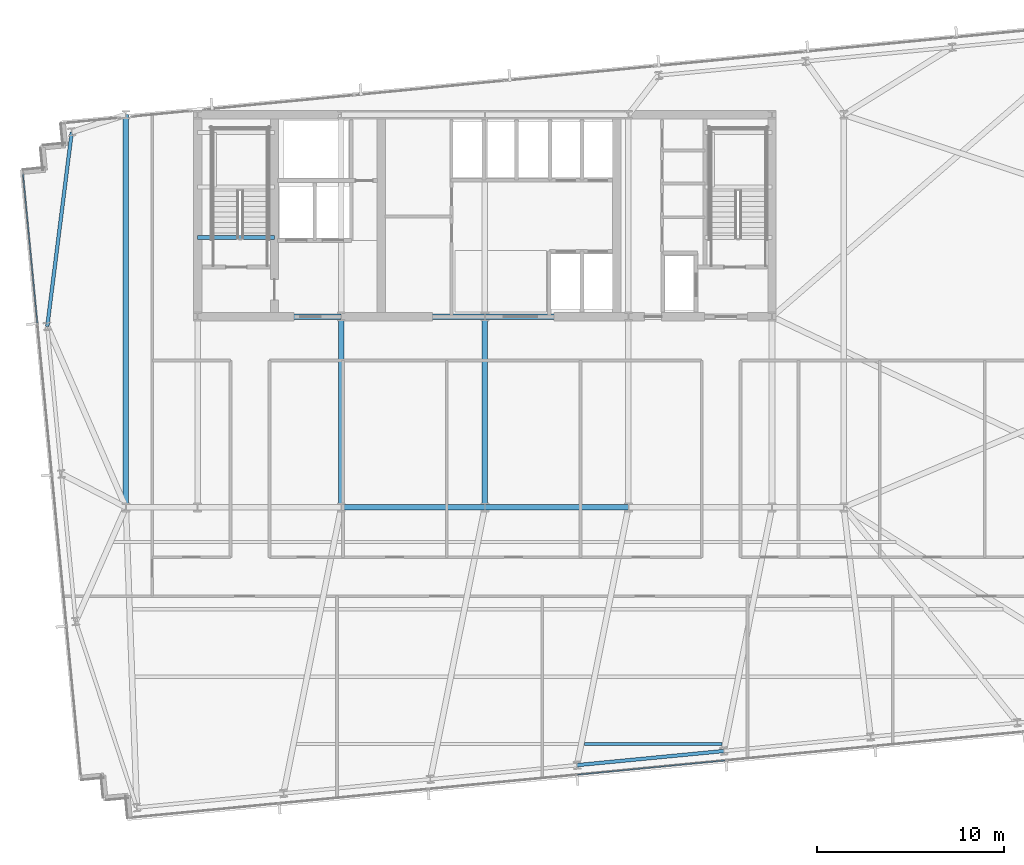
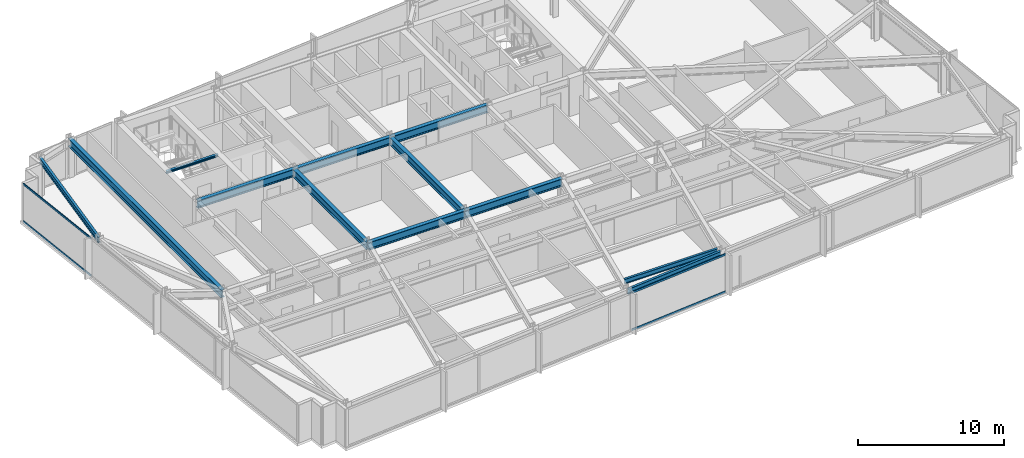
# One storey, part 9 of 33: 12 beams, 4 members, 2 elements without a shape of their own.
"""IFC4 building model written with IfcOpenShell, lengths in metres."""

from ifc_helpers import new_model, si_unit, direction, frame, origin, origin_2d, place, context, subcontext, project, spatial, hollow_rectangle, i_section, extrude, material, material_profile, profile_set, type_object, element, aggregate, save


model = new_model("IFC4")

# Units and contexts
model_context = context("Model", 3, precision=1e-05, world=origin(), true_north=direction((0.0, 1.0)))
body_context = subcontext(model_context, "Body", "Model", "MODEL_VIEW")
ifc_project = project(units=[si_unit("LENGTHUNIT", "METRE"), si_unit("AREAUNIT", "SQUARE_METRE"), si_unit("VOLUMEUNIT", "CUBIC_METRE"), si_unit("PLANEANGLEUNIT", "RADIAN"), si_unit("MASSUNIT", "GRAM", prefix="KILO")], contexts=[model_context])

# Site, building, storey
site_placement = place(None, origin())
site = spatial("IfcSite", under=ifc_project, at=site_placement, CompositionType="ELEMENT")
building_placement = place(site_placement, origin())
building = spatial("IfcBuilding", under=site, at=building_placement, Name="Yelkora Congress Tower", CompositionType="ELEMENT")
storey_placement = place(building_placement, frame((0.0, 0.0, 123.699951171875)))
storey = spatial("IfcBuildingStorey", under=building, at=storey_placement, Name="L33", CompositionType="ELEMENT", Elevation=123.699951171875)

# Beams
ifc_material_1 = material(Name="Steel S355J2", Category="steel")
ifc_material_profile_1 = material_profile(ifc_material_1, i_section(OverallWidth=0.300048828125, OverallDepth=0.64990234375, WebThickness=0.01611328125, FlangeThickness=0.031005859375, FilletRadius=0.027099609375, at=origin_2d()), Name="HEB 650")
ifc_profile_set_1 = profile_set([ifc_material_profile_1], Name="Steel S355J2")
beam_type_1 = type_object("IfcBeamType", Name="BM-GIRD-HEB650", PredefinedType="BEAM", material=ifc_profile_set_1)
beam_1_placement = place(storey_placement, frame((30.719970703125, 25.199951171875, 2.85498046875), z_axis=(1.0, 0.0, 0.0), x_axis=(0.0, 1.0, 0.0)))
element("IfcBeam", 1, at=beam_1_placement, inside=storey, type_object=beam_type_1, Name="L33 Spine Grid D Girder 3", PredefinedType="BEAM", context=body_context, shape_type="SweptSolid", body=[
    extrude(i_section(OverallWidth=0.300048828125, OverallDepth=0.64990234375, WebThickness=0.01611328125, FlangeThickness=0.031005859375, FilletRadius=0.027099609375, at=origin_2d()), origin(), (0.0, 0.0, 1.0), 7.679931640625),
])
beam_2_placement = place(storey_placement, frame((38.39990234375, 25.199951171875, 2.85498046875), z_axis=(1.0, 0.0, 0.0), x_axis=(0.0, 1.0, 0.0)))
element("IfcBeam", 2, at=beam_2_placement, inside=storey, type_object=beam_type_1, Name="L33 Spine Grid D Girder 4", PredefinedType="BEAM", context=body_context, shape_type="SweptSolid", body=[
    extrude(i_section(OverallWidth=0.300048828125, OverallDepth=0.64990234375, WebThickness=0.01611328125, FlangeThickness=0.031005859375, FilletRadius=0.027099609375, at=origin_2d()), origin(), (0.0, 0.0, 1.0), 7.68017578125),
])
for number, where, z_axis, x_axis, name in (
    (3, (23.0400390625, 35.39990234375, 2.85498046875), (1.0, 0.0, 0.0), (0.0, 1.0, 0.0), "L33 Core South Girder 1"),
    (4, (30.719970703125, 35.39990234375, 2.85498046875), (1.0, 0.0, 0.0), (0.0, 1.0, 0.0), "L33 Core South Girder 2"),
):
    element("IfcBeam", number, at=place(storey_placement, frame(where, z_axis=z_axis, x_axis=x_axis)), inside=storey, type_object=beam_type_1, Name=name, PredefinedType="BEAM", context=body_context, shape_type="SweptSolid", body=[
        extrude(i_section(OverallWidth=0.300048828125, OverallDepth=0.64990234375, WebThickness=0.01611328125, FlangeThickness=0.031005859375, FilletRadius=0.027099609375, at=origin_2d()), origin(), (0.0, 0.0, 1.0), 7.679931640625),
    ])
beam_3_placement = place(storey_placement, frame((38.39990234375, 35.39990234375, 2.85498046875), z_axis=(1.0, 0.0, 0.0), x_axis=(0.0, 1.0, 0.0)))
element("IfcBeam", 5, at=beam_3_placement, inside=storey, type_object=beam_type_1, Name="L33 Core South Girder 3", PredefinedType="BEAM", context=body_context, shape_type="SweptSolid", body=[
    extrude(i_section(OverallWidth=0.300048828125, OverallDepth=0.64990234375, WebThickness=0.01611328125, FlangeThickness=0.031005859375, FilletRadius=0.027099609375, at=origin_2d()), origin(), (0.0, 0.0, 1.0), 7.68017578125),
])
for number, where, z_axis, x_axis, name in (
    (6, (30.719970703125, 25.199951171875, 2.85498046875), (0.0, 1.0, 0.0), (-1.0, 0.0, 0.0), "L33 Core Tie Girder MC-D2"),
    (7, (38.39990234375, 25.199951171875, 2.85498046875), (0.0, 1.0, 0.0), (-1.0, 0.0, 0.0), "L33 Core Tie Girder MC-D3"),
):
    element("IfcBeam", number, at=place(storey_placement, frame(where, z_axis=z_axis, x_axis=x_axis)), inside=storey, type_object=beam_type_1, Name=name, PredefinedType="BEAM", context=body_context, shape_type="SweptSolid", body=[
        extrude(i_section(OverallWidth=0.300048828125, OverallDepth=0.64990234375, WebThickness=0.01611328125, FlangeThickness=0.031005859375, FilletRadius=0.027099609375, at=origin_2d()), origin(), (0.0, 0.0, 1.0), 10.199951171875),
    ])
beam_4_placement = place(storey_placement, frame((19.199951171875, 25.199951171875, 2.85498046875), z_axis=(0.0, 1.0, 0.0), x_axis=(-1.0, 0.0, 0.0)))
element("IfcBeam", 8, at=beam_4_placement, inside=storey, type_object=beam_type_1, Name="L33 Neck Flank Girder MC-F1", PredefinedType="BEAM", context=body_context, shape_type="SweptSolid", body=[
    extrude(i_section(OverallWidth=0.300048828125, OverallDepth=0.64990234375, WebThickness=0.01611328125, FlangeThickness=0.031005859375, FilletRadius=0.027099609375, at=origin_2d()), origin(), (0.0, 0.0, 1.0), 21.0),
])
ifc_material_profile_2 = material_profile(ifc_material_1, i_section(OverallWidth=0.179931640625, OverallDepth=0.39990234375, WebThickness=0.008544921875, FlangeThickness=0.013427734375, FilletRadius=0.02099609375, at=origin_2d()), Name="IPE 400")
ifc_profile_set_2 = profile_set([ifc_material_profile_2], Name="Steel S355J2")
beam_type_2 = type_object("IfcBeamType", Name="BM-JOIST-IPE400", PredefinedType="JOIST", material=ifc_profile_set_2)
beam_5_placement = place(storey_placement, frame((43.7197265625, 12.54443359375, 2.97998046875), z_axis=(1.0, 0.0, 0.0), x_axis=(0.0, 1.0, 0.0)))
element("IfcBeam", 9, at=beam_5_placement, inside=storey, type_object=beam_type_2, Name="L33 Composite Floor Joist 3", PredefinedType="JOIST", context=body_context, shape_type="SweptSolid", body=[
    extrude(i_section(OverallWidth=0.179931640625, OverallDepth=0.39990234375, WebThickness=0.008544921875, FlangeThickness=0.013427734375, FilletRadius=0.02099609375, at=origin_2d()), origin(), (0.0, 0.0, 1.0), 7.37841796875),
])
ifc_material_profile_3 = material_profile(ifc_material_1, i_section(OverallWidth=0.199951171875, OverallDepth=0.18994140625, WebThickness=0.006591796875, FlangeThickness=0.010009765625, FilletRadius=0.01806640625, at=origin_2d()), Name="HEA 200")
ifc_profile_set_3 = profile_set([ifc_material_profile_3], Name="Steel S355J2")
beam_type_3 = type_object("IfcBeamType", Name="BM-LAND-HEA200", PredefinedType="BEAM", material=ifc_profile_set_3)
beam_6_placement = place(storey_placement, frame((23.0400390625, 39.639892578125, 2.947509765625), z_axis=(1.0, 0.0, 0.0), x_axis=(0.0, 1.0, 0.0)))
element("IfcBeam", 10, at=beam_6_placement, inside=storey, type_object=beam_type_3, Name="ST-01 L33 Floor Arrival Stringer Header Beam", PredefinedType="BEAM", context=body_context, shape_type="SweptSolid", body=[
    extrude(i_section(OverallWidth=0.199951171875, OverallDepth=0.18994140625, WebThickness=0.006591796875, FlangeThickness=0.010009765625, FilletRadius=0.01806640625, at=origin_2d()), origin(), (0.0, 0.0, 1.0), 4.10986328125),
])
ifc_material_profile_4 = material_profile(ifc_material_1, i_section(OverallWidth=0.18994140625, OverallDepth=0.449951171875, WebThickness=0.009521484375, FlangeThickness=0.0146484375, FilletRadius=0.02099609375, at=origin_2d()), Name="IPE 450")
ifc_profile_set_4 = profile_set([ifc_material_profile_4], Name="Steel S355J2")
beam_type_4 = type_object("IfcBeamType", Name="BM-SPAN-IPE450", PredefinedType="SPANDREL", material=ifc_profile_set_4)
beam_7_placement = place(storey_placement, frame((43.334228515625, 11.411865234375, 2.955078125), z_axis=(0.995398529126, 0.09582154358, 0.0), x_axis=(-0.09582154358, 0.995398529126, 0.0)))
element("IfcBeam", 11, at=beam_7_placement, inside=storey, type_object=beam_type_4, Name="L33 Perimeter Beam 6", PredefinedType="SPANDREL", context=body_context, shape_type="SweptSolid", body=[
    extrude(i_section(OverallWidth=0.18994140625, OverallDepth=0.449951171875, WebThickness=0.009521484375, FlangeThickness=0.0146484375, FilletRadius=0.02099609375, at=origin_2d()), origin(), (0.0, 0.0, 1.0), 7.8857421875),
])
beam_8_placement = place(storey_placement, frame((16.306884765625, 45.27734375, 2.955078125), z_axis=(-0.124952129665, -0.992162771571, 0.0), x_axis=(0.992162771571, -0.124952129665, 0.0)))
element("IfcBeam", 12, at=beam_8_placement, inside=storey, type_object=beam_type_4, Name="L33 Perimeter Beam 18", PredefinedType="SPANDREL", context=body_context, shape_type="SweptSolid", body=[
    extrude(i_section(OverallWidth=0.18994140625, OverallDepth=0.449951171875, WebThickness=0.009521484375, FlangeThickness=0.0146484375, FilletRadius=0.02099609375, at=origin_2d()), origin(), (0.0, 0.0, 1.0), 10.48046875),
])

# Curtain wall, members
ifc_material_2 = material(Name="Anodised aluminium and insulated glass", Category="aluminium")
curtain_wall_type = type_object("IfcCurtainWallType", Name="CW-SYS-B2", PredefinedType="NOTDEFINED", material=ifc_material_2)
curtain_wall_1_placement = place(storey_placement, origin())
curtain_wall_1 = element("IfcCurtainWall", 13, at=curtain_wall_1_placement, inside=storey, type_object=curtain_wall_type, Name="L33 Unitised Curtain Wall 5", PredefinedType="NOTDEFINED")
ifc_material_3 = material(Name="Anodised aluminium 6063-T6", Category="aluminium")
ifc_material_profile_5 = material_profile(ifc_material_3, hollow_rectangle(XDim=0.06494140625, YDim=0.159912109375, WallThickness=0.00390625, at=origin_2d()), Name="ALU 65x160x4")
ifc_profile_set_5 = profile_set([ifc_material_profile_5], Name="Anodised aluminium 6063-T6")
member_type = type_object("IfcMemberType", Name="MEM-TR-B2", PredefinedType="USERDEFINED", material=ifc_profile_set_5)
member_1_placement = place(storey_placement, frame((14.466796875, 35.06884765625, 0.032470703125), z_axis=(-0.095858482834, 0.995394972495, 0.0), x_axis=(-0.995394972495, -0.095858482834, 0.0)))
member_1 = element("IfcMember", 14, at=member_1_placement, type_object=member_type, Name="CW-B2 transom 4.1", ObjectType="TRANSOM", PredefinedType="USERDEFINED", context=body_context, shape_type="SweptSolid", body=[
    extrude(hollow_rectangle(XDim=0.06494140625, YDim=0.159912109375, WallThickness=0.00390625, at=origin_2d()), origin(), (0.0, 0.0, 1.0), 8.025146484375),
])
member_2_placement = place(storey_placement, frame((14.466796875, 35.06884765625, 3.1474609375), z_axis=(-0.095858482834, 0.995394972495, 0.0), x_axis=(-0.995394972495, -0.095858482834, 0.0)))
member_2 = element("IfcMember", 15, at=member_2_placement, type_object=member_type, Name="CW-B2 transom 4.2", ObjectType="TRANSOM", PredefinedType="USERDEFINED", context=body_context, shape_type="SweptSolid", body=[
    extrude(hollow_rectangle(XDim=0.06494140625, YDim=0.159912109375, WallThickness=0.00390625, at=origin_2d()), origin(), (0.0, 0.0, 1.0), 8.025146484375),
])
aggregate(curtain_wall_1, [member_1, member_2])

curtain_wall_2_placement = place(storey_placement, origin())
curtain_wall_2 = element("IfcCurtainWall", 16, at=curtain_wall_2_placement, inside=storey, type_object=curtain_wall_type, Name="L33 Unitised Curtain Wall 20", PredefinedType="NOTDEFINED")
member_3_placement = place(storey_placement, frame((51.255859375, 11.662353515625, 0.032470703125), z_axis=(-0.995394074338, -0.095867808848, 0.0), x_axis=(0.095867808848, -0.995394074338, 0.0)))
member_3 = element("IfcMember", 17, at=member_3_placement, type_object=member_type, Name="CW-B2 transom 4.1", ObjectType="TRANSOM", PredefinedType="USERDEFINED", context=body_context, shape_type="SweptSolid", body=[
    extrude(hollow_rectangle(XDim=0.06494140625, YDim=0.159912109375, WallThickness=0.00390625, at=origin_2d()), origin(), (0.0, 0.0, 1.0), 7.932861328125),
])
member_4_placement = place(storey_placement, frame((51.255859375, 11.662353515625, 3.1474609375), z_axis=(-0.995394074338, -0.095867808848, 0.0), x_axis=(0.095867808848, -0.995394074338, 0.0)))
member_4 = element("IfcMember", 18, at=member_4_placement, type_object=member_type, Name="CW-B2 transom 4.2", ObjectType="TRANSOM", PredefinedType="USERDEFINED", context=body_context, shape_type="SweptSolid", body=[
    extrude(hollow_rectangle(XDim=0.06494140625, YDim=0.159912109375, WallThickness=0.00390625, at=origin_2d()), origin(), (0.0, 0.0, 1.0), 7.932861328125),
])
aggregate(curtain_wall_2, [member_3, member_4])

save(model, "model.ifc")
